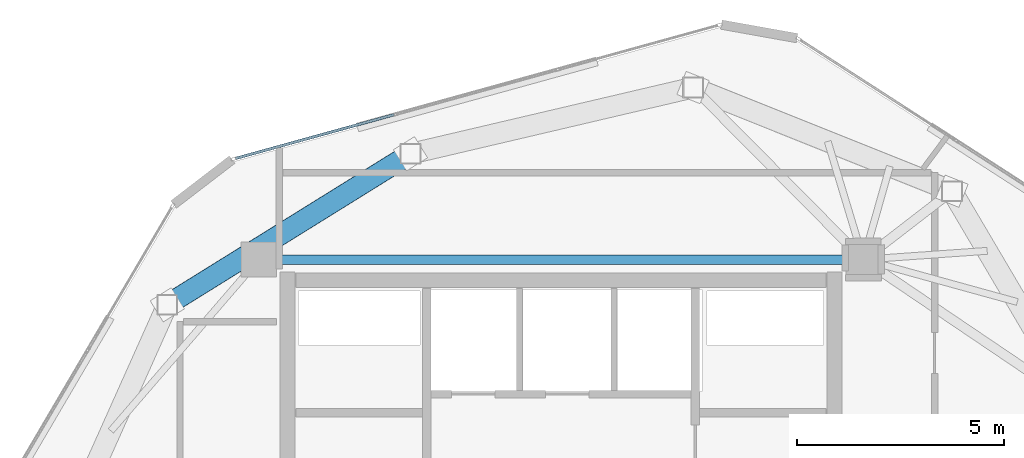
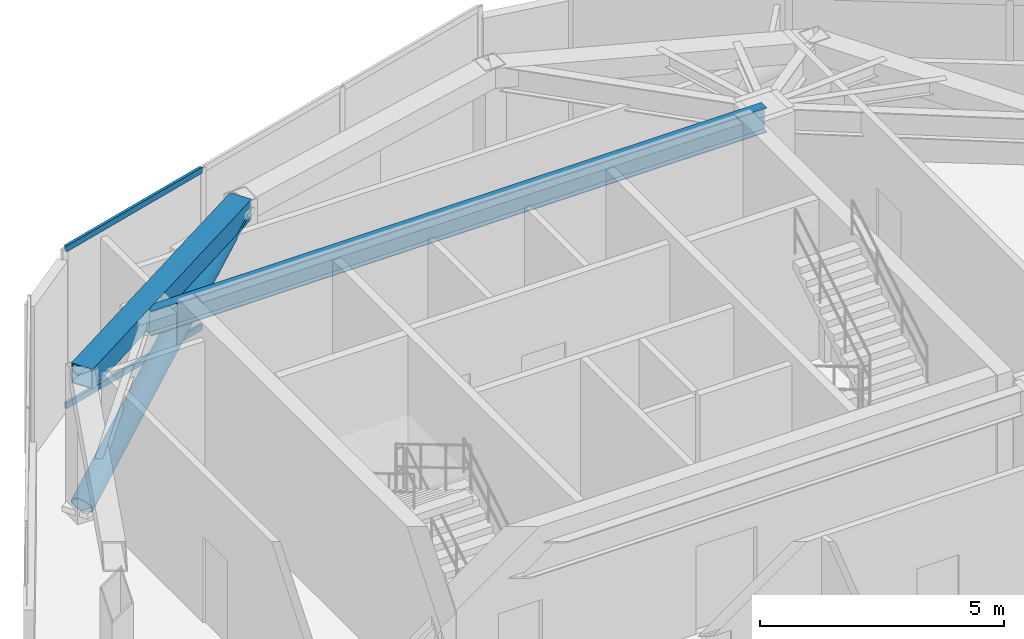
# One storey, part 9 of 19: 3 members, 2 beams, 1 element without a shape of its own.
"""IFC4 building model written with IfcOpenShell, lengths in metres."""

import ifcopenshell
import ifcopenshell.guid

model = None  # the IFC model being written
_history = None  # IfcOwnerHistory: only IFC2X3 demands one
_inside = {}  # id of a spatial element -> (the spatial element, [elements in it])
_under = {}  # id of a project, library or spatial element -> (it, [spatial elements below it])
_declared = {}  # id of a project -> (the project, [libraries it declares])
_typed = {}  # id of a type object -> (the type object, [elements of that type])
_made_of = {}  # id of a material, layer set ... -> (it, [elements and type objects made of it])


def new_model(schema):
    """Start an empty IFC model of exactly this schema.

    Asked for "IFC4X3", IfcOpenShell would pick the latest addendum, in which some entities
    have other attributes; the version numbers below select the first issue.
    IFC2X3 requires an IfcOwnerHistory on every rooted entity: one is made here for all.
    """
    global model, _history
    if schema == "IFC4X3":
        model = ifcopenshell.file(schema_version=(4, 3, 0, 0))
    else:
        model = ifcopenshell.file(schema=schema)
    _inside.clear()
    _under.clear()
    _declared.clear()
    _typed.clear()
    _made_of.clear()
    _history = None
    if model.schema == "IFC2X3":
        org = make("IfcOrganization", Name="unknown")
        user = make(
            "IfcPersonAndOrganization",
            ThePerson=make("IfcPerson", FamilyName="unknown"),
            TheOrganization=org,
        )
        app = make(
            "IfcApplication",
            ApplicationDeveloper=org,
            Version="unknown",
            ApplicationFullName="unknown",
            ApplicationIdentifier="unknown",
        )
        _history = make(
            "IfcOwnerHistory",
            OwningUser=user,
            OwningApplication=app,
            ChangeAction="ADDED",
            CreationDate=0,
        )
    return model


def make(cls, **values):
    """One entity of the class cls with the attributes given. An attribute that is None is left unset."""
    return model.create_entity(
        cls, **{name: value for name, value in values.items() if value is not None}
    )


def rooted(cls, **values):
    """An entity with a GlobalId (a new one), such as an element, a storey or a relation."""
    return make(cls, GlobalId=ifcopenshell.guid.new(), OwnerHistory=_history, **values)


def si_unit(unit_type, name, prefix=None):
    """IfcSIUnit, for example si_unit("LENGTHUNIT", "METRE", prefix="MILLI")."""
    return make("IfcSIUnit", UnitType=unit_type, Prefix=prefix, Name=name)


def assignment(units):
    """IfcUnitAssignment: the units of a project."""
    return None if units is None else make("IfcUnitAssignment", Units=units)


def point(xyz):
    """IfcCartesianPoint."""
    return None if xyz is None else make("IfcCartesianPoint", Coordinates=xyz)


def direction(xyz):
    """IfcDirection."""
    return None if xyz is None else make("IfcDirection", DirectionRatios=xyz)


def frame(location, z_axis=None, x_axis=None):
    """IfcAxis2Placement3D, a coordinate frame: its origin and axes. An axis left out is left unset."""
    return make(
        "IfcAxis2Placement3D",
        Location=point(location),
        Axis=direction(z_axis),
        RefDirection=direction(x_axis),
    )


def frame_2d(location, x_axis=None):
    """IfcAxis2Placement2D, a coordinate frame in the plane: its origin and x axis."""
    return make(
        "IfcAxis2Placement2D", Location=point(location), RefDirection=direction(x_axis)
    )


def origin():
    """The frame at (0, 0, 0) with its axes left unset."""
    return frame((0.0, 0.0, 0.0))


def origin_2d():
    """The frame at (0, 0) in the plane with its x axis left unset."""
    return frame_2d((0.0, 0.0))


def place(relative_to, where):
    """IfcLocalPlacement: puts the frame where relative to a parent placement (None: the world)."""
    return make(
        "IfcLocalPlacement", PlacementRelTo=relative_to, RelativePlacement=where
    )


def context(
    kind, dimensions, precision=None, world=None, true_north=None, identifier=None
):
    """IfcGeometricRepresentationContext, for example the 3D "Model" context."""
    return make(
        "IfcGeometricRepresentationContext",
        ContextIdentifier=identifier,
        ContextType=kind,
        CoordinateSpaceDimension=dimensions,
        Precision=precision,
        WorldCoordinateSystem=world,
        TrueNorth=true_north,
    )


def subcontext(parent, identifier, kind, view, scale=None):
    """IfcGeometricRepresentationSubContext, for example "Body" below "Model"."""
    return make(
        "IfcGeometricRepresentationSubContext",
        ContextIdentifier=identifier,
        ContextType=kind,
        ParentContext=parent,
        TargetScale=scale,
        TargetView=view,
    )


def project(units=None, contexts=None):
    """IfcProject with its units and contexts."""
    return rooted(
        "IfcProject",
        Name="project",
        RepresentationContexts=contexts,
        UnitsInContext=assignment(units),
    )


def spatial(cls, under=None, at=None, **own):
    """A site, building, storey or space (cls), placed at a placement, below another one or the project."""
    s = rooted(cls, ObjectPlacement=at, **own)
    if under is not None:
        _under.setdefault(under.id(), (under, []))[1].append(s)
    return s


def profile(cls, at=None, kind="AREA", **sizes):
    """A parametric profile (cls). Its sizes go by their IFC names, for example OverallWidth=200.0."""
    return make(cls, ProfileType=kind, Position=at, **sizes)


def hollow_rectangle(**sizes):
    """IfcRectangleHollowProfileDef."""
    return profile("IfcRectangleHollowProfileDef", **sizes)


def hollow_circle(**sizes):
    """IfcCircleHollowProfileDef."""
    return profile("IfcCircleHollowProfileDef", **sizes)


def i_section(**sizes):
    """IfcIShapeProfileDef."""
    return profile("IfcIShapeProfileDef", **sizes)


def extrude(swept, where, along, depth):
    """IfcExtrudedAreaSolid: the profile swept, set in the frame where, extruded along a direction by depth."""
    return make(
        "IfcExtrudedAreaSolid",
        SweptArea=swept,
        Position=where,
        ExtrudedDirection=direction(along),
        Depth=depth,
    )


def shape(context_of_items, identifier, shape_type, items):
    """IfcShapeRepresentation: the items that make up one representation, for example the "Body"."""
    return make(
        "IfcShapeRepresentation",
        ContextOfItems=context_of_items,
        RepresentationIdentifier=identifier,
        RepresentationType=shape_type,
        Items=items,
    )


def source(mapping_origin, context_of_items, identifier, shape_type, items):
    """IfcRepresentationMap: a shape defined once, which mapped items show again and again."""
    return make(
        "IfcRepresentationMap",
        MappingOrigin=mapping_origin,
        MappedRepresentation=shape(context_of_items, identifier, shape_type, items),
    )


def transform(
    local_origin,
    x_axis=None,
    y_axis=None,
    z_axis=None,
    scale=None,
    scale2=None,
    scale3=None,
    uniform=True,
):
    """IfcCartesianTransformationOperator3D, or its non-uniform kind. x_axis, y_axis, z_axis: its Axis1, 2, 3."""
    if uniform:
        return make(
            "IfcCartesianTransformationOperator3D",
            Axis1=direction(x_axis),
            Axis2=direction(y_axis),
            LocalOrigin=point(local_origin),
            Scale=scale,
            Axis3=direction(z_axis),
        )
    return make(
        "IfcCartesianTransformationOperator3DnonUniform",
        Axis1=direction(x_axis),
        Axis2=direction(y_axis),
        LocalOrigin=point(local_origin),
        Scale=scale,
        Axis3=direction(z_axis),
        Scale2=scale2,
        Scale3=scale3,
    )


def mapped(mapping_source, mapping_target):
    """IfcMappedItem: shows the shape of a source again, moved by a transform."""
    return make(
        "IfcMappedItem", MappingSource=mapping_source, MappingTarget=mapping_target
    )


def material(Name=None, Category=None):
    """IfcMaterial."""
    return make("IfcMaterial", Name=Name, Category=Category)


def layer(
    of_material, thickness, ventilated=None, Name=None, Category=None, Priority=None
):
    """IfcMaterialLayer: one layer of a wall or slab, of a material (None: an air gap)."""
    return make(
        "IfcMaterialLayer",
        Material=of_material,
        LayerThickness=thickness,
        IsVentilated=ventilated,
        Name=Name,
        Category=Category,
        Priority=Priority,
    )


def layer_set(layers, Name=None):
    """IfcMaterialLayerSet."""
    return make("IfcMaterialLayerSet", MaterialLayers=layers, LayerSetName=Name)


def material_profile(
    of_material, cross_section, Name=None, Category=None, Priority=None
):
    """IfcMaterialProfile: a cross section and its material."""
    return make(
        "IfcMaterialProfile",
        Name=Name,
        Material=of_material,
        Profile=cross_section,
        Priority=Priority,
        Category=Category,
    )


def profile_set(profiles, Name=None, composite=None):
    """IfcMaterialProfileSet."""
    return make(
        "IfcMaterialProfileSet",
        Name=Name,
        MaterialProfiles=profiles,
        CompositeProfile=composite,
    )


def made_of(thing, what):
    """Note that an element or type object is made of a material, layer set ...; save() writes the relation."""
    if what is not None:
        _made_of.setdefault(what.id(), (what, []))[1].append(thing)
    return thing


def type_object(cls, material=None, **own):
    """A type object (cls), such as IfcWallType, which elements share."""
    return made_of(rooted(cls, **own), material)


def type_shapes(of_type, sources):
    """Give a type object the sources (RepresentationMaps) that its elements show as mapped items."""
    of_type.RepresentationMaps = sources


def element(
    cls,
    number,
    at=None,
    inside=None,
    cuts=None,
    type_object=None,
    material=None,
    context=None,
    identifier="Body",
    shape_type=None,
    held_by="IfcProductDefinitionShape",
    body=None,
    shapes=None,
    **own,
):
    """One element of the class cls, such as IfcWall. Its Tag is "e" and its number.

    at: its placement. inside: the storey or other place that contains it. cuts: it is an
    opening in that element (IfcRelVoidsElement). A single representation is given by context,
    identifier, shape_type and body (its items); several are given by shapes. held_by: the class
    of the entity that holds the representations. save() writes the other relations.
    """
    e = rooted(cls, Tag="e%d" % number, ObjectPlacement=at, **own)
    if body is not None:
        shapes = [shape(context, identifier, shape_type, body)]
    if shapes is not None:
        e.Representation = make(held_by, Representations=shapes)
    if inside is not None:
        _inside.setdefault(inside.id(), (inside, []))[1].append(e)
    if cuts is not None:
        rooted(
            "IfcRelVoidsElement", RelatingBuildingElement=cuts, RelatedOpeningElement=e
        )
    if type_object is not None:
        _typed.setdefault(type_object.id(), (type_object, []))[1].append(e)
    return made_of(e, material)


def aggregate(whole, parts):
    """IfcRelAggregates: a whole, such as a stair, and the parts it consists of."""
    return rooted("IfcRelAggregates", RelatingObject=whole, RelatedObjects=parts)


def save(model, path):
    """Write the relations noted so far, then the file.

    IfcRelAggregates (storeys below a building ...), IfcRelContainedInSpatialStructure (elements
    in a storey), IfcRelDefinesByType, IfcRelAssociatesMaterial and IfcRelDeclares: one each for
    every whole, place, type object, material and project.
    """
    for whole, parts in _under.values():
        aggregate(whole, parts)
    for where, things in _inside.values():
        rooted(
            "IfcRelContainedInSpatialStructure",
            RelatedElements=things,
            RelatingStructure=where,
        )
    for kind, things in _typed.values():
        rooted("IfcRelDefinesByType", RelatedObjects=things, RelatingType=kind)
    for what, things in _made_of.values():
        rooted("IfcRelAssociatesMaterial", RelatedObjects=things, RelatingMaterial=what)
    for by, libraries in _declared.values():
        rooted("IfcRelDeclares", RelatingContext=by, RelatedDefinitions=libraries)
    model.write(path)


model = new_model("IFC4")

# Units and contexts
model_context = context("Model", 3, precision=1e-05, world=origin(), true_north=direction((0.0, 1.0)))
body_context = subcontext(model_context, "Body", "Model", "MODEL_VIEW")
ifc_project = project(units=[si_unit("LENGTHUNIT", "METRE"), si_unit("AREAUNIT", "SQUARE_METRE"), si_unit("VOLUMEUNIT", "CUBIC_METRE"), si_unit("PLANEANGLEUNIT", "RADIAN"), si_unit("MASSUNIT", "GRAM", prefix="KILO")], contexts=[model_context])

# Site, building, storey
site_placement = place(None, origin())
site = spatial("IfcSite", under=ifc_project, at=site_placement, CompositionType="ELEMENT")
building_placement = place(site_placement, origin())
building = spatial("IfcBuilding", under=site, at=building_placement, Name="Talar Marvaseh", CompositionType="ELEMENT")
storey_placement = place(building_placement, frame((0.0, 0.0, 296.0)))
storey = spatial("IfcBuildingStorey", under=building, at=storey_placement, Name="L79", CompositionType="ELEMENT", Elevation=296.0)

# Beams
ifc_material_1 = material(Name="Steel S460", Category="steel")
ifc_material_profile_1 = material_profile(ifc_material_1, hollow_rectangle(XDim=0.5, YDim=0.5, WallThickness=0.02490234375, at=origin_2d()), Name="BOX500x500x25")
ifc_profile_set_1 = profile_set([ifc_material_profile_1], Name="Steel S460")
beam_type_1 = type_object("IfcBeamType", Name="Crown Frame Top Ring Beam BOX500x500x25", PredefinedType="BEAM", material=ifc_profile_set_1)
beam_1_placement = place(storey_placement, frame((16.493896484375, 35.806884765625, 3.489990234375), z_axis=(0.849439811678, 0.527685518407, 0.0), x_axis=(-0.527685518407, 0.849439811678, 0.0)))
element("IfcBeam", 1, at=beam_1_placement, inside=storey, type_object=beam_type_1, Name="L79 Crown Frame Top Ring Beam BOX500x500x25", PredefinedType="BEAM", context=body_context, shape_type="SweptSolid", body=[
    extrude(hollow_rectangle(XDim=0.5, YDim=0.5, WallThickness=0.02490234375, at=origin_2d()), origin(), (0.0, 0.0, 1.0), 6.91162109375),
])
ifc_material_2 = material(Name="Steel S355", Category="steel")
ifc_material_profile_2 = material_profile(ifc_material_2, i_section(OverallWidth=0.22998046875, OverallDepth=0.616943359375, WebThickness=0.01318359375, FlangeThickness=0.022216796875, at=origin_2d()), Name="W610x140")
ifc_profile_set_2 = profile_set([ifc_material_profile_2], Name="Steel S355")
beam_type_2 = type_object("IfcBeamType", Name="Zone 4 Radial Floor Girder W610x140", PredefinedType="BEAM", material=ifc_profile_set_2)
beam_2_placement = place(storey_placement, frame((18.699951171875, 36.89990234375, 3.431396484375), z_axis=(1.0, 0.0, 0.0), x_axis=(0.0, 1.0, 0.0)))
element("IfcBeam", 2, at=beam_2_placement, inside=storey, type_object=beam_type_2, Name="L79 Zone 4 Radial Floor Girder W610x140", PredefinedType="BEAM", context=body_context, shape_type="SweptSolid", body=[
    extrude(i_section(OverallWidth=0.22998046875, OverallDepth=0.616943359375, WebThickness=0.01318359375, FlangeThickness=0.022216796875, at=origin_2d()), origin(), (0.0, 0.0, 1.0), 14.60009765625),
])

# Member
ifc_material_profile_3 = material_profile(ifc_material_1, hollow_circle(Radius=0.25390625, WallThickness=0.02001953125, at=origin_2d()), Name="CHS508x20")
ifc_profile_set_3 = profile_set([ifc_material_profile_3], Name="Steel S460")
member_type_1 = type_object("IfcMemberType", Name="Crown Frame Diagonal Brace CHS508x20", PredefinedType="BRACE", material=ifc_profile_set_3)
shared_shape_1 = source(origin(), body_context, "Body", "SweptSolid", [
    extrude(hollow_circle(Radius=0.25390625, WallThickness=0.02001953125, at=origin_2d()), origin(), (0.0, 0.0, 1.0), 7.633544921875),
])
type_shapes(member_type_1, [shared_shape_1])
member_1_placement = place(storey_placement, frame((16.493896484375, 35.806884765625, 0.25), z_axis=(0.769127757965, 0.477794393556, 0.424446709745), x_axis=(-0.527685518407, 0.849439811678, 0.0)))
element("IfcMember", 3, at=member_1_placement, inside=storey, type_object=member_type_1, Name="L79 Crown Frame Diagonal Brace 3", PredefinedType="BRACE", context=body_context, shape_type="MappedRepresentation", body=[
    mapped(shared_shape_1, transform((0.0, 0.0, 0.0), x_axis=(1.0, 0.0, 0.0), y_axis=(0.0, 1.0, 0.0), z_axis=(0.0, 0.0, 1.0), scale=1.0)),
])

# Curtain wall, members
ifc_material_3 = material(Name="Architectural Aluminium", Category="aluminium")
ifc_layer = layer(ifc_material_3, 0.2099609375)
ifc_layer_set = layer_set([ifc_layer], Name="Architectural Aluminium")
curtain_wall_type = type_object("IfcCurtainWallType", Name="Crown Plant Acoustic Spandrel Curtain Wall", PredefinedType="NOTDEFINED", material=ifc_layer_set)
curtain_wall_placement = place(storey_placement, origin())
curtain_wall = element("IfcCurtainWall", 4, at=curtain_wall_placement, inside=storey, type_object=curtain_wall_type, Name="L79 Crown Plant Acoustic Spandrel Curtain Wall", PredefinedType="NOTDEFINED")
ifc_material_profile_4 = material_profile(ifc_material_3, hollow_rectangle(XDim=0.06494140625, YDim=0.14990234375, WallThickness=0.00390625, at=origin_2d()), Name="RHS150x65x4")
ifc_profile_set_4 = profile_set([ifc_material_profile_4], Name="Architectural Aluminium")
member_type_2 = type_object("IfcMemberType", Name="Unitised Curtain Wall Slim Transom RHS150x65x4", PredefinedType="USERDEFINED", material=ifc_profile_set_4)
shared_shape_2 = source(origin(), body_context, "Body", "SweptSolid", [
    extrude(hollow_rectangle(XDim=0.06494140625, YDim=0.14990234375, WallThickness=0.00390625, at=origin_2d()), origin(), (0.0, 0.0, 1.0), 3.97119140625),
])
type_shapes(member_type_2, [shared_shape_2])
member_2_placement = place(storey_placement, frame((18.140869140625, 39.340576171875, 0.032470703125), z_axis=(0.963953480107, 0.26607083303, 0.0), x_axis=(-0.26607083303, 0.963953480107, 0.0)))
member_2 = element("IfcMember", 5, at=member_2_placement, type_object=member_type_2, Name="CW-CRN transom 1.1", ObjectType="TRANSOM", PredefinedType="USERDEFINED", context=body_context, shape_type="MappedRepresentation", body=[
    mapped(shared_shape_2, transform((0.0, 0.0, 0.0), x_axis=(1.0, 0.0, 0.0), y_axis=(0.0, 1.0, 0.0), z_axis=(0.0, 0.0, 1.0), scale=1.0)),
])
member_3_placement = place(storey_placement, frame((18.140869140625, 39.340576171875, 3.967529296875), z_axis=(0.963953480107, 0.26607083303, 0.0), x_axis=(-0.26607083303, 0.963953480107, 0.0)))
member_3 = element("IfcMember", 6, at=member_3_placement, type_object=member_type_2, Name="CW-CRN transom 1.2", ObjectType="TRANSOM", PredefinedType="USERDEFINED", context=body_context, shape_type="MappedRepresentation", body=[
    mapped(shared_shape_2, transform((0.0, 0.0, 0.0), x_axis=(1.0, 0.0, 0.0), y_axis=(0.0, 1.0, 0.0), z_axis=(0.0, 0.0, 1.0), scale=1.0)),
])
aggregate(curtain_wall, [member_2, member_3])

save(model, "model.ifc")
